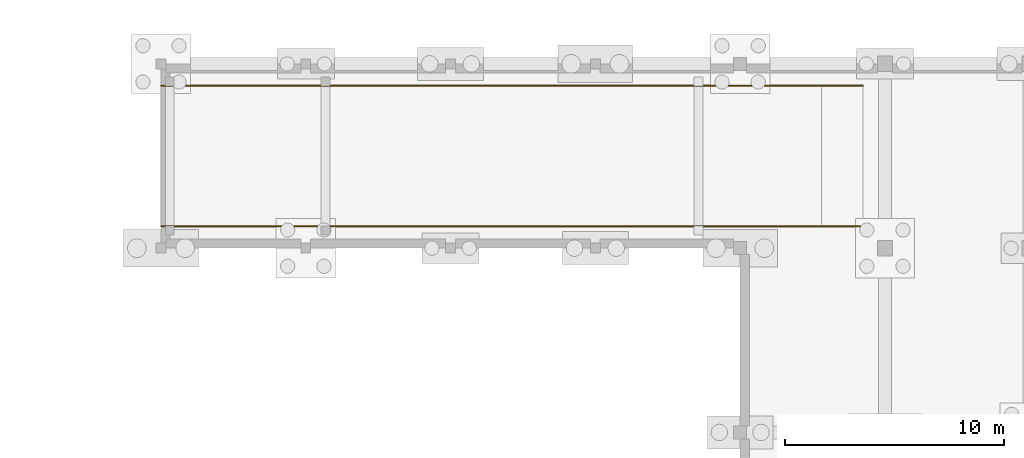
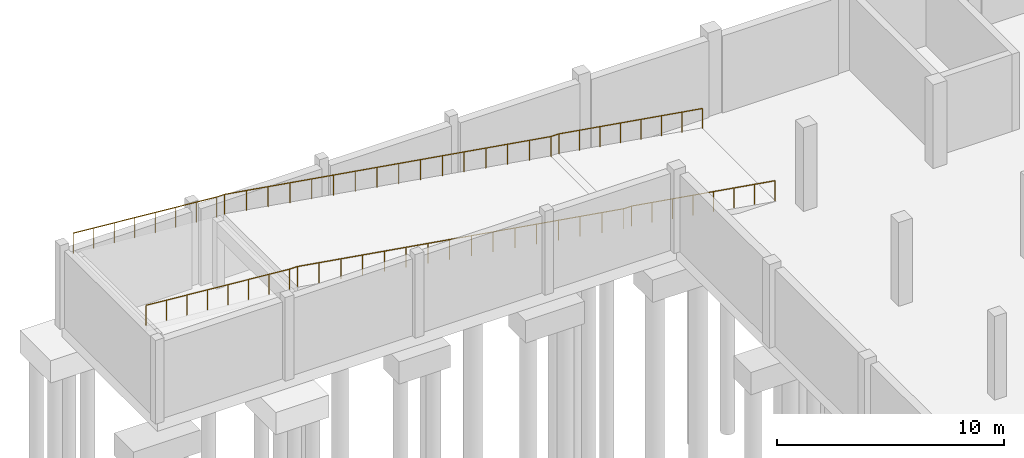
# One storey, part 21 of 25: 2 railings.
"""IFC4 building model written with IfcOpenShell, lengths in metres."""

from ifc_helpers import new_model, si_unit, direction, frame, origin, origin_2d, place, context, subcontext, project, spatial, circle, extrude, material, type_object, element, save


model = new_model("IFC4")

# Units and contexts
model_context = context("Model", 3, precision=1e-05, world=origin(), true_north=direction((0.0, 1.0)))
body_context = subcontext(model_context, "Body", "Model", "MODEL_VIEW")
ifc_project = project(units=[si_unit("LENGTHUNIT", "METRE"), si_unit("AREAUNIT", "SQUARE_METRE"), si_unit("VOLUMEUNIT", "CUBIC_METRE"), si_unit("PLANEANGLEUNIT", "RADIAN"), si_unit("MASSUNIT", "GRAM", prefix="KILO")], contexts=[model_context])

# Site, building, storey
site_placement = place(None, origin())
site = spatial("IfcSite", under=ifc_project, at=site_placement, CompositionType="ELEMENT")
building_placement = place(site_placement, origin())
building = spatial("IfcBuilding", under=site, at=building_placement, Name="Qaldarim Faculty of Natural and Applied Sciences", CompositionType="ELEMENT")
storey_placement = place(building_placement, frame((0.0, 0.0, -4.5)))
storey = spatial("IfcBuildingStorey", under=building, at=storey_placement, Name="B01", CompositionType="ELEMENT", Elevation=-4.5)

# Railings
ifc_material = material(Name="Architectural stainless steel 316", Category="steel")
railing_type = type_object("IfcRailingType", Name="GuardBalustrade-1100", PredefinedType="BALUSTRADE", material=ifc_material)
railing_1_placement = place(storey_placement, frame((6.60205078125, 110.199951171875, 4.5)))
element("IfcRailing", 1, at=railing_1_placement, inside=storey, type_object=railing_type, Name="Vehicle ramp guard rail S", PredefinedType="BALUSTRADE", context=body_context, shape_type="SweptSolid", body=[
    extrude(circle(Radius=0.02392578125, at=origin_2d()), frame((0.00390625, 0.0, 1.07568359375), z_axis=(0.996521799546, 0.0, -0.083332484844), x_axis=(0.0, 1.0, 0.0)), (0.0, 0.0, 1.0), 7.3134765625),
    extrude(circle(Radius=0.02392578125, at=origin_2d()), frame((7.2998046875, 0.0, 0.4658203125), z_axis=(1.0, 0.0, 0.0), x_axis=(0.0, 1.0, 0.0)), (0.0, 0.0, 1.0), 0.39599609375),
    extrude(circle(Radius=0.02392578125, at=origin_2d()), frame((7.703857421875, 0.0, 0.46533203125), z_axis=(0.987023437322, 0.0, -0.160576256577), x_axis=(0.0, 1.0, 0.0)), (0.0, 0.0, 1.0), 16.80615234375),
    extrude(circle(Radius=0.02392578125, at=origin_2d()), frame((24.2998046875, 0.0, -2.23388671875), z_axis=(1.0, 0.0, 0.0), x_axis=(0.0, 1.0, 0.0)), (0.0, 0.0, 1.0), 0.39599609375),
    extrude(circle(Radius=0.02392578125, at=origin_2d()), frame((24.703857421875, 0.0, -2.234619140625), z_axis=(0.986959235044, 0.0, -0.160970395918), x_axis=(0.0, 1.0, 0.0)), (0.0, 0.0, 1.0), 7.38427734375),
    extrude(circle(Radius=0.02099609375, at=origin_2d()), origin(), (0.0, 0.0, 1.0), 1.052001953125),
    extrude(circle(Radius=0.02099609375, at=origin_2d()), frame((1.042236328125, 0.0, -0.087158203125)), (0.0, 0.0, 1.0), 1.052001953125),
    extrude(circle(Radius=0.02099609375, at=origin_2d()), frame((2.08447265625, 0.0, -0.17431640625)), (0.0, 0.0, 1.0), 1.052001953125),
    extrude(circle(Radius=0.02099609375, at=origin_2d()), frame((3.126708984375, 0.0, -0.261474609375)), (0.0, 0.0, 1.0), 1.052001953125),
    extrude(circle(Radius=0.02099609375, at=origin_2d()), frame((4.169189453125, 0.0, -0.3486328125)), (0.0, 0.0, 1.0), 1.052001953125),
    extrude(circle(Radius=0.02099609375, at=origin_2d()), frame((5.21142578125, 0.0, -0.435791015625)), (0.0, 0.0, 1.0), 1.052001953125),
    extrude(circle(Radius=0.02099609375, at=origin_2d()), frame((6.253662109375, 0.0, -0.52294921875)), (0.0, 0.0, 1.0), 1.052001953125),
    extrude(circle(Radius=0.02099609375, at=origin_2d()), frame((7.2958984375, 0.0, -0.610107421875)), (0.0, 0.0, 1.0), 1.052001953125),
    extrude(circle(Radius=0.02099609375, at=origin_2d()), frame((7.699951171875, 0.0, -0.610107421875)), (0.0, 0.0, 1.0), 1.052001953125),
    extrude(circle(Radius=0.02099609375, at=origin_2d()), frame((8.806396484375, 0.0, -0.7900390625)), (0.0, 0.0, 1.0), 1.052001953125),
    extrude(circle(Radius=0.02099609375, at=origin_2d()), frame((9.912841796875, 0.0, -0.97021484375)), (0.0, 0.0, 1.0), 1.052001953125),
    extrude(circle(Radius=0.02099609375, at=origin_2d()), frame((11.01904296875, 0.0, -1.150146484375)), (0.0, 0.0, 1.0), 1.052001953125),
    extrude(circle(Radius=0.02099609375, at=origin_2d()), frame((12.12548828125, 0.0, -1.330078125)), (0.0, 0.0, 1.0), 1.052001953125),
    extrude(circle(Radius=0.02099609375, at=origin_2d()), frame((13.23193359375, 0.0, -1.510009765625)), (0.0, 0.0, 1.0), 1.052001953125),
    extrude(circle(Radius=0.02099609375, at=origin_2d()), frame((14.33837890625, 0.0, -1.690185546875)), (0.0, 0.0, 1.0), 1.052001953125),
    extrude(circle(Radius=0.02099609375, at=origin_2d()), frame((15.44482421875, 0.0, -1.8701171875)), (0.0, 0.0, 1.0), 1.052001953125),
    extrude(circle(Radius=0.02099609375, at=origin_2d()), frame((16.551025390625, 0.0, -2.050048828125)), (0.0, 0.0, 1.0), 1.052001953125),
    extrude(circle(Radius=0.02099609375, at=origin_2d()), frame((17.657470703125, 0.0, -2.22998046875)), (0.0, 0.0, 1.0), 1.052001953125),
    extrude(circle(Radius=0.02099609375, at=origin_2d()), frame((18.763916015625, 0.0, -2.41015625)), (0.0, 0.0, 1.0), 1.052001953125),
    extrude(circle(Radius=0.02099609375, at=origin_2d()), frame((19.870361328125, 0.0, -2.590087890625)), (0.0, 0.0, 1.0), 1.052001953125),
    extrude(circle(Radius=0.02099609375, at=origin_2d()), frame((20.976806640625, 0.0, -2.77001953125)), (0.0, 0.0, 1.0), 1.052001953125),
    extrude(circle(Radius=0.02099609375, at=origin_2d()), frame((22.0830078125, 0.0, -2.949951171875)), (0.0, 0.0, 1.0), 1.052001953125),
    extrude(circle(Radius=0.02099609375, at=origin_2d()), frame((23.189453125, 0.0, -3.130126953125)), (0.0, 0.0, 1.0), 1.052001953125),
    extrude(circle(Radius=0.02099609375, at=origin_2d()), frame((24.2958984375, 0.0, -3.31005859375)), (0.0, 0.0, 1.0), 1.052001953125),
    extrude(circle(Radius=0.02099609375, at=origin_2d()), frame((24.699951171875, 0.0, -3.31005859375)), (0.0, 0.0, 1.0), 1.052001953125),
    extrude(circle(Radius=0.02099609375, at=origin_2d()), frame((25.7421875, 0.0, -3.47998046875)), (0.0, 0.0, 1.0), 1.052001953125),
    extrude(circle(Radius=0.02099609375, at=origin_2d()), frame((26.784423828125, 0.0, -3.650146484375)), (0.0, 0.0, 1.0), 1.052001953125),
    extrude(circle(Radius=0.02099609375, at=origin_2d()), frame((27.82666015625, 0.0, -3.820068359375)), (0.0, 0.0, 1.0), 1.052001953125),
    extrude(circle(Radius=0.02099609375, at=origin_2d()), frame((28.869140625, 0.0, -3.989990234375)), (0.0, 0.0, 1.0), 1.052001953125),
    extrude(circle(Radius=0.02099609375, at=origin_2d()), frame((29.911376953125, 0.0, -4.159912109375)), (0.0, 0.0, 1.0), 1.052001953125),
    extrude(circle(Radius=0.02099609375, at=origin_2d()), frame((30.95361328125, 0.0, -4.330078125)), (0.0, 0.0, 1.0), 1.052001953125),
    extrude(circle(Radius=0.02099609375, at=origin_2d()), frame((31.995849609375, 0.0, -4.5)), (0.0, 0.0, 1.0), 1.052001953125),
])
railing_2_placement = place(storey_placement, frame((6.60205078125, 116.60009765625, 4.5)))
element("IfcRailing", 2, at=railing_2_placement, inside=storey, type_object=railing_type, Name="Vehicle ramp guard rail N", PredefinedType="BALUSTRADE", context=body_context, shape_type="SweptSolid", body=[
    extrude(circle(Radius=0.02392578125, at=origin_2d()), frame((0.00390625, 0.0, 1.07568359375), z_axis=(0.996521799546, 0.0, -0.083332484844), x_axis=(0.0, 1.0, 0.0)), (0.0, 0.0, 1.0), 7.3134765625),
    extrude(circle(Radius=0.02392578125, at=origin_2d()), frame((7.2998046875, 0.0, 0.4658203125), z_axis=(1.0, 0.0, 0.0), x_axis=(0.0, 1.0, 0.0)), (0.0, 0.0, 1.0), 0.39599609375),
    extrude(circle(Radius=0.02392578125, at=origin_2d()), frame((7.703857421875, 0.0, 0.46533203125), z_axis=(0.987023437322, 0.0, -0.160576256577), x_axis=(0.0, 1.0, 0.0)), (0.0, 0.0, 1.0), 16.80615234375),
    extrude(circle(Radius=0.02392578125, at=origin_2d()), frame((24.2998046875, 0.0, -2.23388671875), z_axis=(1.0, 0.0, 0.0), x_axis=(0.0, 1.0, 0.0)), (0.0, 0.0, 1.0), 0.39599609375),
    extrude(circle(Radius=0.02392578125, at=origin_2d()), frame((24.703857421875, 0.0, -2.234619140625), z_axis=(0.986959235044, 0.0, -0.160970395918), x_axis=(0.0, 1.0, 0.0)), (0.0, 0.0, 1.0), 7.38427734375),
    extrude(circle(Radius=0.02099609375, at=origin_2d()), origin(), (0.0, 0.0, 1.0), 1.052001953125),
    extrude(circle(Radius=0.02099609375, at=origin_2d()), frame((1.042236328125, 0.0, -0.087158203125)), (0.0, 0.0, 1.0), 1.052001953125),
    extrude(circle(Radius=0.02099609375, at=origin_2d()), frame((2.08447265625, 0.0, -0.17431640625)), (0.0, 0.0, 1.0), 1.052001953125),
    extrude(circle(Radius=0.02099609375, at=origin_2d()), frame((3.126708984375, 0.0, -0.261474609375)), (0.0, 0.0, 1.0), 1.052001953125),
    extrude(circle(Radius=0.02099609375, at=origin_2d()), frame((4.169189453125, 0.0, -0.3486328125)), (0.0, 0.0, 1.0), 1.052001953125),
    extrude(circle(Radius=0.02099609375, at=origin_2d()), frame((5.21142578125, 0.0, -0.435791015625)), (0.0, 0.0, 1.0), 1.052001953125),
    extrude(circle(Radius=0.02099609375, at=origin_2d()), frame((6.253662109375, 0.0, -0.52294921875)), (0.0, 0.0, 1.0), 1.052001953125),
    extrude(circle(Radius=0.02099609375, at=origin_2d()), frame((7.2958984375, 0.0, -0.610107421875)), (0.0, 0.0, 1.0), 1.052001953125),
    extrude(circle(Radius=0.02099609375, at=origin_2d()), frame((7.699951171875, 0.0, -0.610107421875)), (0.0, 0.0, 1.0), 1.052001953125),
    extrude(circle(Radius=0.02099609375, at=origin_2d()), frame((8.806396484375, 0.0, -0.7900390625)), (0.0, 0.0, 1.0), 1.052001953125),
    extrude(circle(Radius=0.02099609375, at=origin_2d()), frame((9.912841796875, 0.0, -0.97021484375)), (0.0, 0.0, 1.0), 1.052001953125),
    extrude(circle(Radius=0.02099609375, at=origin_2d()), frame((11.01904296875, 0.0, -1.150146484375)), (0.0, 0.0, 1.0), 1.052001953125),
    extrude(circle(Radius=0.02099609375, at=origin_2d()), frame((12.12548828125, 0.0, -1.330078125)), (0.0, 0.0, 1.0), 1.052001953125),
    extrude(circle(Radius=0.02099609375, at=origin_2d()), frame((13.23193359375, 0.0, -1.510009765625)), (0.0, 0.0, 1.0), 1.052001953125),
    extrude(circle(Radius=0.02099609375, at=origin_2d()), frame((14.33837890625, 0.0, -1.690185546875)), (0.0, 0.0, 1.0), 1.052001953125),
    extrude(circle(Radius=0.02099609375, at=origin_2d()), frame((15.44482421875, 0.0, -1.8701171875)), (0.0, 0.0, 1.0), 1.052001953125),
    extrude(circle(Radius=0.02099609375, at=origin_2d()), frame((16.551025390625, 0.0, -2.050048828125)), (0.0, 0.0, 1.0), 1.052001953125),
    extrude(circle(Radius=0.02099609375, at=origin_2d()), frame((17.657470703125, 0.0, -2.22998046875)), (0.0, 0.0, 1.0), 1.052001953125),
    extrude(circle(Radius=0.02099609375, at=origin_2d()), frame((18.763916015625, 0.0, -2.41015625)), (0.0, 0.0, 1.0), 1.052001953125),
    extrude(circle(Radius=0.02099609375, at=origin_2d()), frame((19.870361328125, 0.0, -2.590087890625)), (0.0, 0.0, 1.0), 1.052001953125),
    extrude(circle(Radius=0.02099609375, at=origin_2d()), frame((20.976806640625, 0.0, -2.77001953125)), (0.0, 0.0, 1.0), 1.052001953125),
    extrude(circle(Radius=0.02099609375, at=origin_2d()), frame((22.0830078125, 0.0, -2.949951171875)), (0.0, 0.0, 1.0), 1.052001953125),
    extrude(circle(Radius=0.02099609375, at=origin_2d()), frame((23.189453125, 0.0, -3.130126953125)), (0.0, 0.0, 1.0), 1.052001953125),
    extrude(circle(Radius=0.02099609375, at=origin_2d()), frame((24.2958984375, 0.0, -3.31005859375)), (0.0, 0.0, 1.0), 1.052001953125),
    extrude(circle(Radius=0.02099609375, at=origin_2d()), frame((24.699951171875, 0.0, -3.31005859375)), (0.0, 0.0, 1.0), 1.052001953125),
    extrude(circle(Radius=0.02099609375, at=origin_2d()), frame((25.7421875, 0.0, -3.47998046875)), (0.0, 0.0, 1.0), 1.052001953125),
    extrude(circle(Radius=0.02099609375, at=origin_2d()), frame((26.784423828125, 0.0, -3.650146484375)), (0.0, 0.0, 1.0), 1.052001953125),
    extrude(circle(Radius=0.02099609375, at=origin_2d()), frame((27.82666015625, 0.0, -3.820068359375)), (0.0, 0.0, 1.0), 1.052001953125),
    extrude(circle(Radius=0.02099609375, at=origin_2d()), frame((28.869140625, 0.0, -3.989990234375)), (0.0, 0.0, 1.0), 1.052001953125),
    extrude(circle(Radius=0.02099609375, at=origin_2d()), frame((29.911376953125, 0.0, -4.159912109375)), (0.0, 0.0, 1.0), 1.052001953125),
    extrude(circle(Radius=0.02099609375, at=origin_2d()), frame((30.95361328125, 0.0, -4.330078125)), (0.0, 0.0, 1.0), 1.052001953125),
    extrude(circle(Radius=0.02099609375, at=origin_2d()), frame((31.995849609375, 0.0, -4.5)), (0.0, 0.0, 1.0), 1.052001953125),
])

save(model, "model.ifc")
